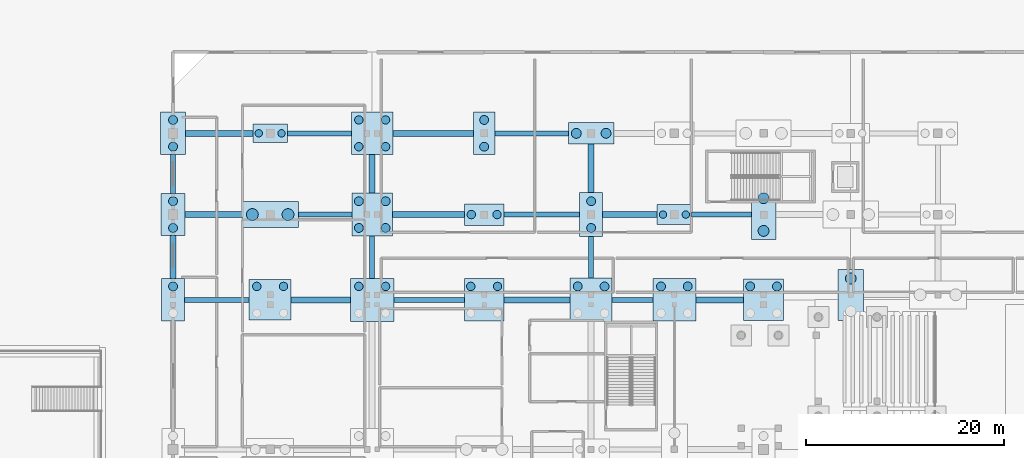
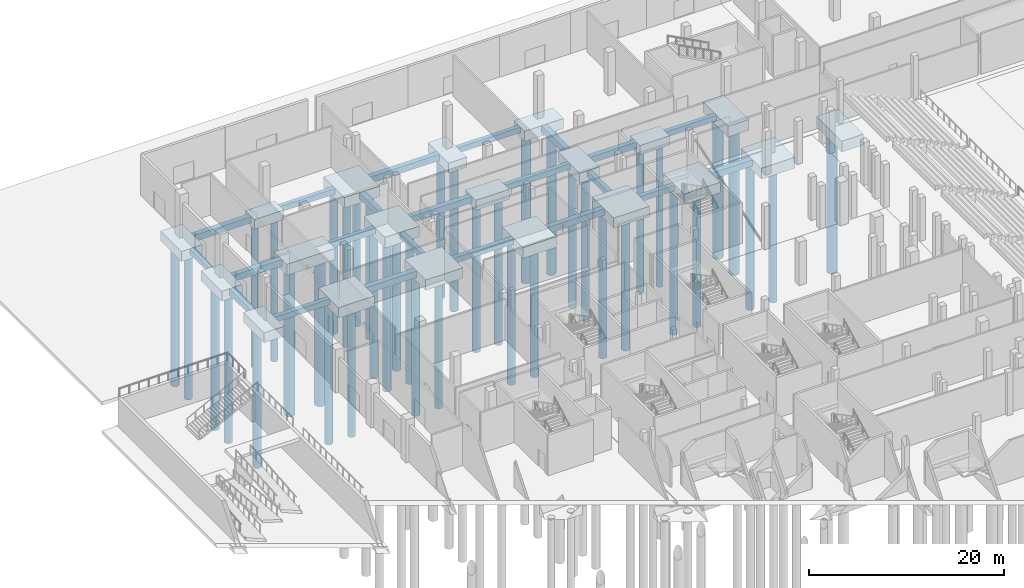
# One storey, part 12 of 89: 42 footings, 42 piles.
"""IFC4 building model written with IfcOpenShell, lengths in metres."""

import ifcopenshell
import ifcopenshell.guid

model = None  # the IFC model being written
_history = None  # IfcOwnerHistory: only IFC2X3 demands one
_inside = {}  # id of a spatial element -> (the spatial element, [elements in it])
_under = {}  # id of a project, library or spatial element -> (it, [spatial elements below it])
_declared = {}  # id of a project -> (the project, [libraries it declares])
_typed = {}  # id of a type object -> (the type object, [elements of that type])
_made_of = {}  # id of a material, layer set ... -> (it, [elements and type objects made of it])


def new_model(schema):
    """Start an empty IFC model of exactly this schema.

    Asked for "IFC4X3", IfcOpenShell would pick the latest addendum, in which some entities
    have other attributes; the version numbers below select the first issue.
    IFC2X3 requires an IfcOwnerHistory on every rooted entity: one is made here for all.
    """
    global model, _history
    if schema == "IFC4X3":
        model = ifcopenshell.file(schema_version=(4, 3, 0, 0))
    else:
        model = ifcopenshell.file(schema=schema)
    _inside.clear()
    _under.clear()
    _declared.clear()
    _typed.clear()
    _made_of.clear()
    _history = None
    if model.schema == "IFC2X3":
        org = make("IfcOrganization", Name="unknown")
        user = make(
            "IfcPersonAndOrganization",
            ThePerson=make("IfcPerson", FamilyName="unknown"),
            TheOrganization=org,
        )
        app = make(
            "IfcApplication",
            ApplicationDeveloper=org,
            Version="unknown",
            ApplicationFullName="unknown",
            ApplicationIdentifier="unknown",
        )
        _history = make(
            "IfcOwnerHistory",
            OwningUser=user,
            OwningApplication=app,
            ChangeAction="ADDED",
            CreationDate=0,
        )
    return model


def make(cls, **values):
    """One entity of the class cls with the attributes given. An attribute that is None is left unset."""
    return model.create_entity(
        cls, **{name: value for name, value in values.items() if value is not None}
    )


def rooted(cls, **values):
    """An entity with a GlobalId (a new one), such as an element, a storey or a relation."""
    return make(cls, GlobalId=ifcopenshell.guid.new(), OwnerHistory=_history, **values)


def si_unit(unit_type, name, prefix=None):
    """IfcSIUnit, for example si_unit("LENGTHUNIT", "METRE", prefix="MILLI")."""
    return make("IfcSIUnit", UnitType=unit_type, Prefix=prefix, Name=name)


def assignment(units):
    """IfcUnitAssignment: the units of a project."""
    return None if units is None else make("IfcUnitAssignment", Units=units)


def point(xyz):
    """IfcCartesianPoint."""
    return None if xyz is None else make("IfcCartesianPoint", Coordinates=xyz)


def direction(xyz):
    """IfcDirection."""
    return None if xyz is None else make("IfcDirection", DirectionRatios=xyz)


def frame(location, z_axis=None, x_axis=None):
    """IfcAxis2Placement3D, a coordinate frame: its origin and axes. An axis left out is left unset."""
    return make(
        "IfcAxis2Placement3D",
        Location=point(location),
        Axis=direction(z_axis),
        RefDirection=direction(x_axis),
    )


def frame_2d(location, x_axis=None):
    """IfcAxis2Placement2D, a coordinate frame in the plane: its origin and x axis."""
    return make(
        "IfcAxis2Placement2D", Location=point(location), RefDirection=direction(x_axis)
    )


def origin():
    """The frame at (0, 0, 0) with its axes left unset."""
    return frame((0.0, 0.0, 0.0))


def origin_2d():
    """The frame at (0, 0) in the plane with its x axis left unset."""
    return frame_2d((0.0, 0.0))


def place(relative_to, where):
    """IfcLocalPlacement: puts the frame where relative to a parent placement (None: the world)."""
    return make(
        "IfcLocalPlacement", PlacementRelTo=relative_to, RelativePlacement=where
    )


def context(
    kind, dimensions, precision=None, world=None, true_north=None, identifier=None
):
    """IfcGeometricRepresentationContext, for example the 3D "Model" context."""
    return make(
        "IfcGeometricRepresentationContext",
        ContextIdentifier=identifier,
        ContextType=kind,
        CoordinateSpaceDimension=dimensions,
        Precision=precision,
        WorldCoordinateSystem=world,
        TrueNorth=true_north,
    )


def subcontext(parent, identifier, kind, view, scale=None):
    """IfcGeometricRepresentationSubContext, for example "Body" below "Model"."""
    return make(
        "IfcGeometricRepresentationSubContext",
        ContextIdentifier=identifier,
        ContextType=kind,
        ParentContext=parent,
        TargetScale=scale,
        TargetView=view,
    )


def project(units=None, contexts=None):
    """IfcProject with its units and contexts."""
    return rooted(
        "IfcProject",
        Name="project",
        RepresentationContexts=contexts,
        UnitsInContext=assignment(units),
    )


def spatial(cls, under=None, at=None, **own):
    """A site, building, storey or space (cls), placed at a placement, below another one or the project."""
    s = rooted(cls, ObjectPlacement=at, **own)
    if under is not None:
        _under.setdefault(under.id(), (under, []))[1].append(s)
    return s


def profile(cls, at=None, kind="AREA", **sizes):
    """A parametric profile (cls). Its sizes go by their IFC names, for example OverallWidth=200.0."""
    return make(cls, ProfileType=kind, Position=at, **sizes)


def rectangle(**sizes):
    """IfcRectangleProfileDef."""
    return profile("IfcRectangleProfileDef", **sizes)


def circle(**sizes):
    """IfcCircleProfileDef."""
    return profile("IfcCircleProfileDef", **sizes)


def extrude(swept, where, along, depth):
    """IfcExtrudedAreaSolid: the profile swept, set in the frame where, extruded along a direction by depth."""
    return make(
        "IfcExtrudedAreaSolid",
        SweptArea=swept,
        Position=where,
        ExtrudedDirection=direction(along),
        Depth=depth,
    )


def shape(context_of_items, identifier, shape_type, items):
    """IfcShapeRepresentation: the items that make up one representation, for example the "Body"."""
    return make(
        "IfcShapeRepresentation",
        ContextOfItems=context_of_items,
        RepresentationIdentifier=identifier,
        RepresentationType=shape_type,
        Items=items,
    )


def material(Name=None, Category=None):
    """IfcMaterial."""
    return make("IfcMaterial", Name=Name, Category=Category)


def material_profile(
    of_material, cross_section, Name=None, Category=None, Priority=None
):
    """IfcMaterialProfile: a cross section and its material."""
    return make(
        "IfcMaterialProfile",
        Name=Name,
        Material=of_material,
        Profile=cross_section,
        Priority=Priority,
        Category=Category,
    )


def profile_set(profiles, Name=None, composite=None):
    """IfcMaterialProfileSet."""
    return make(
        "IfcMaterialProfileSet",
        Name=Name,
        MaterialProfiles=profiles,
        CompositeProfile=composite,
    )


def made_of(thing, what):
    """Note that an element or type object is made of a material, layer set ...; save() writes the relation."""
    if what is not None:
        _made_of.setdefault(what.id(), (what, []))[1].append(thing)
    return thing


def type_object(cls, material=None, **own):
    """A type object (cls), such as IfcWallType, which elements share."""
    return made_of(rooted(cls, **own), material)


def element(
    cls,
    number,
    at=None,
    inside=None,
    cuts=None,
    type_object=None,
    material=None,
    context=None,
    identifier="Body",
    shape_type=None,
    held_by="IfcProductDefinitionShape",
    body=None,
    shapes=None,
    **own,
):
    """One element of the class cls, such as IfcWall. Its Tag is "e" and its number.

    at: its placement. inside: the storey or other place that contains it. cuts: it is an
    opening in that element (IfcRelVoidsElement). A single representation is given by context,
    identifier, shape_type and body (its items); several are given by shapes. held_by: the class
    of the entity that holds the representations. save() writes the other relations.
    """
    e = rooted(cls, Tag="e%d" % number, ObjectPlacement=at, **own)
    if body is not None:
        shapes = [shape(context, identifier, shape_type, body)]
    if shapes is not None:
        e.Representation = make(held_by, Representations=shapes)
    if inside is not None:
        _inside.setdefault(inside.id(), (inside, []))[1].append(e)
    if cuts is not None:
        rooted(
            "IfcRelVoidsElement", RelatingBuildingElement=cuts, RelatedOpeningElement=e
        )
    if type_object is not None:
        _typed.setdefault(type_object.id(), (type_object, []))[1].append(e)
    return made_of(e, material)


def aggregate(whole, parts):
    """IfcRelAggregates: a whole, such as a stair, and the parts it consists of."""
    return rooted("IfcRelAggregates", RelatingObject=whole, RelatedObjects=parts)


def save(model, path):
    """Write the relations noted so far, then the file.

    IfcRelAggregates (storeys below a building ...), IfcRelContainedInSpatialStructure (elements
    in a storey), IfcRelDefinesByType, IfcRelAssociatesMaterial and IfcRelDeclares: one each for
    every whole, place, type object, material and project.
    """
    for whole, parts in _under.values():
        aggregate(whole, parts)
    for where, things in _inside.values():
        rooted(
            "IfcRelContainedInSpatialStructure",
            RelatedElements=things,
            RelatingStructure=where,
        )
    for kind, things in _typed.values():
        rooted("IfcRelDefinesByType", RelatedObjects=things, RelatingType=kind)
    for what, things in _made_of.values():
        rooted("IfcRelAssociatesMaterial", RelatedObjects=things, RelatingMaterial=what)
    for by, libraries in _declared.values():
        rooted("IfcRelDeclares", RelatingContext=by, RelatedDefinitions=libraries)
    model.write(path)


model = new_model("IFC4")

# Units and contexts
model_context = context("Model", 3, precision=1e-05, world=origin(), true_north=direction((0.0, 1.0)))
body_context = subcontext(model_context, "Body", "Model", "MODEL_VIEW")
ifc_project = project(units=[si_unit("LENGTHUNIT", "METRE"), si_unit("AREAUNIT", "SQUARE_METRE"), si_unit("VOLUMEUNIT", "CUBIC_METRE"), si_unit("PLANEANGLEUNIT", "RADIAN"), si_unit("MASSUNIT", "GRAM", prefix="KILO")], contexts=[model_context])

# Site, building, storey
site_placement = place(None, origin())
site = spatial("IfcSite", under=ifc_project, at=site_placement, CompositionType="ELEMENT")
building_placement = place(site_placement, origin())
building = spatial("IfcBuilding", under=site, at=building_placement, Name="Koshinbarg Plaza Stadium", CompositionType="ELEMENT")
storey_placement = place(building_placement, origin())
storey = spatial("IfcBuildingStorey", under=building, at=storey_placement, Name="L00", CompositionType="ELEMENT", Elevation=0.0)

# Footings
ifc_material = material(Name="Concrete C35/45", Category="concrete")
ifc_material_profile_1 = material_profile(ifc_material, rectangle(XDim=0.5, YDim=0.699951171875, at=origin_2d()), Name="GB 500x700")
ifc_profile_set_1 = profile_set([ifc_material_profile_1], Name="Concrete C35/45")
footing_type_1 = type_object("IfcFootingType", Name="FT-GB-01", PredefinedType="FOOTING_BEAM", material=ifc_profile_set_1)
footing_1_placement = place(storey_placement, frame((5.179931640625, 127.0, -0.75), z_axis=(1.0, 0.0, 0.0), x_axis=(0.0, 1.0, 0.0)))
element("IfcFooting", 1, at=footing_1_placement, inside=storey, type_object=footing_type_1, Name="Ground footing beam GB-X-145", PredefinedType="FOOTING_BEAM", context=body_context, shape_type="SweptSolid", body=[
    extrude(rectangle(XDim=0.5, YDim=0.699951171875, at=origin_2d()), origin(), (0.0, 0.0, 1.0), 6.5),
])
footing_2_placement = place(storey_placement, frame((26.31005859375, 127.0, -0.800048828125), z_axis=(1.0, 0.0, 0.0), x_axis=(0.0, 1.0, 0.0)))
element("IfcFooting", 2, at=footing_2_placement, inside=storey, type_object=footing_type_1, Name="Ground footing beam GB-X-147", PredefinedType="FOOTING_BEAM", context=body_context, shape_type="SweptSolid", body=[
    extrude(rectangle(XDim=0.5, YDim=0.699951171875, at=origin_2d()), origin(), (0.0, 0.0, 1.0), 7.08984375),
])
footing_3_placement = place(storey_placement, frame((48.320068359375, 127.0, -0.800048828125), z_axis=(1.0, 0.0, 0.0), x_axis=(0.0, 1.0, 0.0)))
element("IfcFooting", 3, at=footing_3_placement, inside=storey, type_object=footing_type_1, Name="Ground footing beam GB-X-149", PredefinedType="FOOTING_BEAM", context=body_context, shape_type="SweptSolid", body=[
    extrude(rectangle(XDim=0.5, YDim=0.699951171875, at=origin_2d()), origin(), (0.0, 0.0, 1.0), 4.119873046875),
])
footing_4_placement = place(storey_placement, frame((16.659912109375, 135.60009765625, -0.75), z_axis=(1.0, 0.0, 0.0), x_axis=(0.0, 1.0, 0.0)))
element("IfcFooting", 4, at=footing_4_placement, inside=storey, type_object=footing_type_1, Name="Ground footing beam GB-X-159", PredefinedType="FOOTING_BEAM", context=body_context, shape_type="SweptSolid", body=[
    extrude(rectangle(XDim=0.5, YDim=0.699951171875, at=origin_2d()), origin(), (0.0, 0.0, 1.0), 5.39013671875),
])
footing_5_placement = place(storey_placement, frame((37.389892578125, 135.60009765625, -0.75), z_axis=(1.0, 0.0, 0.0), x_axis=(0.0, 1.0, 0.0)))
element("IfcFooting", 5, at=footing_5_placement, inside=storey, type_object=footing_type_1, Name="Ground footing beam GB-X-161", PredefinedType="FOOTING_BEAM", context=body_context, shape_type="SweptSolid", body=[
    extrude(rectangle(XDim=0.5, YDim=0.699951171875, at=origin_2d()), origin(), (0.0, 0.0, 1.0), 7.650146484375),
])
footing_6_placement = place(storey_placement, frame((56.35009765625, 135.60009765625, -0.75), z_axis=(1.0, 0.0, 0.0), x_axis=(0.0, 1.0, 0.0)))
element("IfcFooting", 6, at=footing_6_placement, inside=storey, type_object=footing_type_1, Name="Ground footing beam GB-X-163", PredefinedType="FOOTING_BEAM", context=body_context, shape_type="SweptSolid", body=[
    extrude(rectangle(XDim=0.5, YDim=0.699951171875, at=origin_2d()), origin(), (0.0, 0.0, 1.0), 6.010009765625),
])
footing_7_placement = place(storey_placement, frame((15.550048828125, 143.800048828125, -0.75), z_axis=(1.0, 0.0, 0.0), x_axis=(0.0, 1.0, 0.0)))
element("IfcFooting", 7, at=footing_7_placement, inside=storey, type_object=footing_type_1, Name="Ground footing beam GB-X-175", PredefinedType="FOOTING_BEAM", context=body_context, shape_type="SweptSolid", body=[
    extrude(rectangle(XDim=0.5, YDim=0.699951171875, at=origin_2d()), origin(), (0.0, 0.0, 1.0), 6.4599609375),
])
footing_8_placement = place(storey_placement, frame((36.47998046875, 143.800048828125, -0.75), z_axis=(1.0, 0.0, 0.0), x_axis=(0.0, 1.0, 0.0)))
element("IfcFooting", 8, at=footing_8_placement, inside=storey, type_object=footing_type_1, Name="Ground footing beam GB-X-177", PredefinedType="FOOTING_BEAM", context=body_context, shape_type="SweptSolid", body=[
    extrude(rectangle(XDim=0.5, YDim=0.699951171875, at=origin_2d()), origin(), (0.0, 0.0, 1.0), 7.419921875),
])
footing_9_placement = place(storey_placement, frame((4.0, 137.72998046875, -0.75), z_axis=(0.0, 1.0, 0.0), x_axis=(-1.0, 0.0, 0.0)))
element("IfcFooting", 9, at=footing_9_placement, inside=storey, type_object=footing_type_1, Name="Ground footing beam GB-Y-203", PredefinedType="FOOTING_BEAM", context=body_context, shape_type="SweptSolid", body=[
    extrude(rectangle(XDim=0.5, YDim=0.699951171875, at=origin_2d()), origin(), (0.0, 0.0, 1.0), 3.93994140625),
])
footing_10_placement = place(storey_placement, frame((24.10009765625, 129.169921875, -0.800048828125), z_axis=(0.0, 1.0, 0.0), x_axis=(-1.0, 0.0, 0.0)))
element("IfcFooting", 10, at=footing_10_placement, inside=storey, type_object=footing_type_1, Name="Ground footing beam GB-Y-217", PredefinedType="FOOTING_BEAM", context=body_context, shape_type="SweptSolid", body=[
    extrude(rectangle(XDim=0.5, YDim=0.699951171875, at=origin_2d()), origin(), (0.0, 0.0, 1.0), 4.27001953125),
])
footing_11_placement = place(storey_placement, frame((46.199951171875, 129.2099609375, -0.800048828125), z_axis=(0.0, 1.0, 0.0), x_axis=(-1.0, 0.0, 0.0)))
element("IfcFooting", 11, at=footing_11_placement, inside=storey, type_object=footing_type_1, Name="Ground footing beam GB-Y-229", PredefinedType="FOOTING_BEAM", context=body_context, shape_type="SweptSolid", body=[
    extrude(rectangle(XDim=0.5, YDim=0.699951171875, at=origin_2d()), origin(), (0.0, 0.0, 1.0), 4.179931640625),
])
ifc_material_profile_2 = material_profile(ifc_material, rectangle(XDim=0.60009765625, YDim=0.800048828125, at=origin_2d()), Name="GB 600x800")
ifc_profile_set_2 = profile_set([ifc_material_profile_2], Name="Concrete C35/45")
footing_type_2 = type_object("IfcFootingType", Name="FT-GB-02", PredefinedType="FOOTING_BEAM", material=ifc_profile_set_2)
footing_12_placement = place(storey_placement, frame((15.919921875, 127.0, -0.85009765625), z_axis=(1.0, 0.0, 0.0), x_axis=(0.0, 1.0, 0.0)))
element("IfcFooting", 12, at=footing_12_placement, inside=storey, type_object=footing_type_2, Name="Ground footing beam GB-X-146", PredefinedType="FOOTING_BEAM", context=body_context, shape_type="SweptSolid", body=[
    extrude(rectangle(XDim=0.60009765625, YDim=0.800048828125, at=origin_2d()), origin(), (0.0, 0.0, 1.0), 5.969970703125),
])
footing_13_placement = place(storey_placement, frame((37.39990234375, 127.0, -0.85009765625), z_axis=(1.0, 0.0, 0.0), x_axis=(0.0, 1.0, 0.0)))
element("IfcFooting", 13, at=footing_13_placement, inside=storey, type_object=footing_type_2, Name="Ground footing beam GB-X-148", PredefinedType="FOOTING_BEAM", context=body_context, shape_type="SweptSolid", body=[
    extrude(rectangle(XDim=0.60009765625, YDim=0.800048828125, at=origin_2d()), origin(), (0.0, 0.0, 1.0), 6.68017578125),
])
footing_14_placement = place(storey_placement, frame((56.760009765625, 127.0, -0.85009765625), z_axis=(1.0, 0.0, 0.0), x_axis=(0.0, 1.0, 0.0)))
element("IfcFooting", 14, at=footing_14_placement, inside=storey, type_object=footing_type_2, Name="Ground footing beam GB-X-150", PredefinedType="FOOTING_BEAM", context=body_context, shape_type="SweptSolid", body=[
    extrude(rectangle(XDim=0.60009765625, YDim=0.800048828125, at=origin_2d()), origin(), (0.0, 0.0, 1.0), 4.840087890625),
])
footing_15_placement = place(storey_placement, frame((5.219970703125, 135.60009765625, -0.800048828125), z_axis=(1.0, 0.0, 0.0), x_axis=(0.0, 1.0, 0.0)))
element("IfcFooting", 15, at=footing_15_placement, inside=storey, type_object=footing_type_2, Name="Ground footing beam GB-X-158", PredefinedType="FOOTING_BEAM", context=body_context, shape_type="SweptSolid", body=[
    extrude(rectangle(XDim=0.60009765625, YDim=0.800048828125, at=origin_2d()), origin(), (0.0, 0.0, 1.0), 5.719970703125),
])
footing_16_placement = place(storey_placement, frame((26.14990234375, 135.60009765625, -0.800048828125), z_axis=(1.0, 0.0, 0.0), x_axis=(0.0, 1.0, 0.0)))
element("IfcFooting", 16, at=footing_16_placement, inside=storey, type_object=footing_type_2, Name="Ground footing beam GB-X-160", PredefinedType="FOOTING_BEAM", context=body_context, shape_type="SweptSolid", body=[
    extrude(rectangle(XDim=0.60009765625, YDim=0.800048828125, at=origin_2d()), origin(), (0.0, 0.0, 1.0), 7.260009765625),
])
footing_17_placement = place(storey_placement, frame((47.360107421875, 135.60009765625, -0.800048828125), z_axis=(1.0, 0.0, 0.0), x_axis=(0.0, 1.0, 0.0)))
element("IfcFooting", 17, at=footing_17_placement, inside=storey, type_object=footing_type_2, Name="Ground footing beam GB-X-162", PredefinedType="FOOTING_BEAM", context=body_context, shape_type="SweptSolid", body=[
    extrude(rectangle(XDim=0.60009765625, YDim=0.800048828125, at=origin_2d()), origin(), (0.0, 0.0, 1.0), 5.489990234375),
])
footing_18_placement = place(storey_placement, frame((5.260009765625, 143.800048828125, -0.800048828125), z_axis=(1.0, 0.0, 0.0), x_axis=(0.0, 1.0, 0.0)))
element("IfcFooting", 18, at=footing_18_placement, inside=storey, type_object=footing_type_2, Name="Ground footing beam GB-X-174", PredefinedType="FOOTING_BEAM", context=body_context, shape_type="SweptSolid", body=[
    extrude(rectangle(XDim=0.60009765625, YDim=0.800048828125, at=origin_2d()), origin(), (0.0, 0.0, 1.0), 6.7900390625),
])
footing_19_placement = place(storey_placement, frame((26.18994140625, 143.800048828125, -0.800048828125), z_axis=(1.0, 0.0, 0.0), x_axis=(0.0, 1.0, 0.0)))
element("IfcFooting", 19, at=footing_19_placement, inside=storey, type_object=footing_type_2, Name="Ground footing beam GB-X-176", PredefinedType="FOOTING_BEAM", context=body_context, shape_type="SweptSolid", body=[
    extrude(rectangle(XDim=0.60009765625, YDim=0.800048828125, at=origin_2d()), origin(), (0.0, 0.0, 1.0), 8.130126953125),
])
footing_20_placement = place(storey_placement, frame((4.0, 129.1298828125, -0.800048828125), z_axis=(0.0, 1.0, 0.0), x_axis=(-1.0, 0.0, 0.0)))
element("IfcFooting", 20, at=footing_20_placement, inside=storey, type_object=footing_type_2, Name="Ground footing beam GB-Y-202", PredefinedType="FOOTING_BEAM", context=body_context, shape_type="SweptSolid", body=[
    extrude(rectangle(XDim=0.60009765625, YDim=0.800048828125, at=origin_2d()), origin(), (0.0, 0.0, 1.0), 4.340087890625),
])
footing_21_placement = place(storey_placement, frame((24.10009765625, 137.760009765625, -0.800048828125), z_axis=(0.0, 1.0, 0.0), x_axis=(-1.0, 0.0, 0.0)))
element("IfcFooting", 21, at=footing_21_placement, inside=storey, type_object=footing_type_2, Name="Ground footing beam GB-Y-218", PredefinedType="FOOTING_BEAM", context=body_context, shape_type="SweptSolid", body=[
    extrude(rectangle(XDim=0.60009765625, YDim=0.800048828125, at=origin_2d()), origin(), (0.0, 0.0, 1.0), 3.8798828125),
])
footing_22_placement = place(storey_placement, frame((46.199951171875, 137.81005859375, -0.800048828125), z_axis=(0.0, 1.0, 0.0), x_axis=(-1.0, 0.0, 0.0)))
element("IfcFooting", 22, at=footing_22_placement, inside=storey, type_object=footing_type_2, Name="Ground footing beam GB-Y-230", PredefinedType="FOOTING_BEAM", context=body_context, shape_type="SweptSolid", body=[
    extrude(rectangle(XDim=0.60009765625, YDim=0.800048828125, at=origin_2d()), origin(), (0.0, 0.0, 1.0), 4.889892578125),
])
footing_type_3 = type_object("IfcFootingType", Name="FT-PC-216x426x125", PredefinedType="PILE_CAP", material=ifc_material)
footing_23_placement = place(storey_placement, frame((35.39990234375, 143.800048828125, -1.64990234375), z_axis=(0.0, 0.0, 1.0), x_axis=(1.0, 0.0, 0.0)))
element("IfcFooting", 23, at=footing_23_placement, inside=storey, type_object=footing_type_3, Name="Bored pile cap CAP-063", PredefinedType="PILE_CAP", context=body_context, shape_type="SweptSolid", body=[
    extrude(rectangle(XDim=2.159912109375, YDim=4.260009765625, at=origin_2d()), origin(), (0.0, 0.0, 1.0), 1.25),
])
footing_type_4 = type_object("IfcFootingType", Name="FT-PC-232x442x125", PredefinedType="PILE_CAP", material=ifc_material)
footing_24_placement = place(storey_placement, frame((46.199951171875, 135.60009765625, -1.64990234375), z_axis=(0.0, 0.0, 1.0), x_axis=(1.0, 0.0, 0.0)))
element("IfcFooting", 24, at=footing_24_placement, inside=storey, type_object=footing_type_4, Name="Bored pile cap CAP-075", PredefinedType="PILE_CAP", context=body_context, shape_type="SweptSolid", body=[
    extrude(rectangle(XDim=2.320068359375, YDim=4.419921875, at=origin_2d()), origin(), (0.0, 0.0, 1.0), 1.25),
])
footing_type_5 = type_object("IfcFootingType", Name="FT-PC-236x426x125", PredefinedType="PILE_CAP", material=ifc_material)
footing_25_placement = place(storey_placement, frame((4.0, 127.0, -1.64990234375), z_axis=(0.0, 0.0, 1.0), x_axis=(1.0, 0.0, 0.0)))
element("IfcFooting", 25, at=footing_25_placement, inside=storey, type_object=footing_type_5, Name="Bored pile cap CAP-013", PredefinedType="PILE_CAP", context=body_context, shape_type="SweptSolid", body=[
    extrude(rectangle(XDim=2.360107421875, YDim=4.260009765625, at=origin_2d()), origin(), (0.0, 0.0, 1.0), 1.25),
])
footing_type_6 = type_object("IfcFootingType", Name="FT-PC-244x426x125", PredefinedType="PILE_CAP", material=ifc_material)
footing_26_placement = place(storey_placement, frame((4.0, 135.60009765625, -1.64990234375), z_axis=(0.0, 0.0, 1.0), x_axis=(1.0, 0.0, 0.0)))
element("IfcFooting", 26, at=footing_26_placement, inside=storey, type_object=footing_type_6, Name="Bored pile cap CAP-014", PredefinedType="PILE_CAP", context=body_context, shape_type="SweptSolid", body=[
    extrude(rectangle(XDim=2.43994140625, YDim=4.260009765625, at=origin_2d()), origin(), (0.0, 0.0, 1.0), 1.25),
])
footing_type_7 = type_object("IfcFootingType", Name="FT-PC-248x508x135", PredefinedType="PILE_CAP", material=ifc_material)
footing_27_placement = place(storey_placement, frame((63.60009765625, 135.60009765625, -1.75), z_axis=(0.0, 0.0, 1.0), x_axis=(1.0, 0.0, 0.0)))
element("IfcFooting", 27, at=footing_27_placement, inside=storey, type_object=footing_type_7, Name="Bored pile cap CAP-107", PredefinedType="PILE_CAP", context=body_context, shape_type="SweptSolid", body=[
    extrude(rectangle(XDim=2.47998046875, YDim=5.080078125, at=origin_2d()), origin(), (0.0, 0.0, 1.0), 1.35009765625),
])
footing_type_8 = type_object("IfcFootingType", Name="FT-PC-252x426x125", PredefinedType="PILE_CAP", material=ifc_material)
footing_28_placement = place(storey_placement, frame((4.0, 143.800048828125, -1.64990234375), z_axis=(0.0, 0.0, 1.0), x_axis=(1.0, 0.0, 0.0)))
element("IfcFooting", 28, at=footing_28_placement, inside=storey, type_object=footing_type_8, Name="Bored pile cap CAP-015", PredefinedType="PILE_CAP", context=body_context, shape_type="SweptSolid", body=[
    extrude(rectangle(XDim=2.52001953125, YDim=4.260009765625, at=origin_2d()), origin(), (0.0, 0.0, 1.0), 1.25),
])
footing_type_9 = type_object("IfcFootingType", Name="FT-PC-256x516x135", PredefinedType="PILE_CAP", material=ifc_material)
footing_29_placement = place(storey_placement, frame((72.39990234375, 127.5, -1.75), z_axis=(0.0, 0.0, 1.0), x_axis=(1.0, 0.0, 0.0)))
element("IfcFooting", 29, at=footing_29_placement, inside=storey, type_object=footing_type_9, Name="Bored pile cap CAP-113", PredefinedType="PILE_CAP", context=body_context, shape_type="SweptSolid", body=[
    extrude(rectangle(XDim=2.56005859375, YDim=5.159912109375, at=origin_2d()), origin(), (0.0, 0.0, 1.0), 1.35009765625),
])
footing_type_10 = type_object("IfcFootingType", Name="FT-PC-350x188x120", PredefinedType="PILE_CAP", material=ifc_material)
footing_30_placement = place(storey_placement, frame((13.800048828125, 143.800048828125, -1.60009765625), z_axis=(0.0, 0.0, 1.0), x_axis=(1.0, 0.0, 0.0)))
element("IfcFooting", 30, at=footing_30_placement, inside=storey, type_object=footing_type_10, Name="Bored pile cap CAP-031", PredefinedType="PILE_CAP", context=body_context, shape_type="SweptSolid", body=[
    extrude(rectangle(XDim=3.5, YDim=1.8798828125, at=origin_2d()), origin(), (0.0, 0.0, 1.0), 1.199951171875),
])
footing_type_11 = type_object("IfcFootingType", Name="FT-PC-350x204x120", PredefinedType="PILE_CAP", material=ifc_material)
footing_31_placement = place(storey_placement, frame((54.60009765625, 135.60009765625, -1.60009765625), z_axis=(0.0, 0.0, 1.0), x_axis=(1.0, 0.0, 0.0)))
element("IfcFooting", 31, at=footing_31_placement, inside=storey, type_object=footing_type_11, Name="Bored pile cap CAP-091", PredefinedType="PILE_CAP", context=body_context, shape_type="SweptSolid", body=[
    extrude(rectangle(XDim=3.5, YDim=2.0400390625, at=origin_2d()), origin(), (0.0, 0.0, 1.0), 1.199951171875),
])
footing_type_12 = type_object("IfcFootingType", Name="FT-PC-398x216x125", PredefinedType="PILE_CAP", material=ifc_material)
footing_32_placement = place(storey_placement, frame((35.39990234375, 135.60009765625, -1.64990234375), z_axis=(0.0, 0.0, 1.0), x_axis=(1.0, 0.0, 0.0)))
element("IfcFooting", 32, at=footing_32_placement, inside=storey, type_object=footing_type_12, Name="Bored pile cap CAP-062", PredefinedType="PILE_CAP", context=body_context, shape_type="SweptSolid", body=[
    extrude(rectangle(XDim=3.97998046875, YDim=2.159912109375, at=origin_2d()), origin(), (0.0, 0.0, 1.0), 1.25),
])
footing_type_13 = type_object("IfcFootingType", Name="FT-PC-400x418x135", PredefinedType="PILE_CAP", material=ifc_material)
footing_33_placement = place(storey_placement, frame((63.60009765625, 127.0, -1.800048828125), z_axis=(0.0, 0.0, 1.0), x_axis=(1.0, 0.0, 0.0)))
element("IfcFooting", 33, at=footing_33_placement, inside=storey, type_object=footing_type_13, Name="Bored pile cap CAP-106", PredefinedType="PILE_CAP", context=body_context, shape_type="SweptSolid", body=[
    extrude(rectangle(XDim=4.0, YDim=4.179931640625, at=origin_2d()), origin(), (0.0, 0.0, 1.0), 1.35009765625),
])
footing_type_14 = type_object("IfcFootingType", Name="FT-PC-400x426x135", PredefinedType="PILE_CAP", material=ifc_material)
footing_34_placement = place(storey_placement, frame((35.39990234375, 127.0, -1.800048828125), z_axis=(0.0, 0.0, 1.0), x_axis=(1.0, 0.0, 0.0)))
element("IfcFooting", 34, at=footing_34_placement, inside=storey, type_object=footing_type_14, Name="Bored pile cap CAP-061", PredefinedType="PILE_CAP", context=body_context, shape_type="SweptSolid", body=[
    extrude(rectangle(XDim=4.0, YDim=4.260009765625, at=origin_2d()), origin(), (0.0, 0.0, 1.0), 1.35009765625),
])
footing_type_15 = type_object("IfcFootingType", Name="FT-PC-410x432x135", PredefinedType="PILE_CAP", material=ifc_material)
footing_35_placement = place(storey_placement, frame((24.10009765625, 135.60009765625, -1.75), z_axis=(0.0, 0.0, 1.0), x_axis=(1.0, 0.0, 0.0)))
element("IfcFooting", 35, at=footing_35_placement, inside=storey, type_object=footing_type_15, Name="Bored pile cap CAP-046", PredefinedType="PILE_CAP", context=body_context, shape_type="SweptSolid", body=[
    extrude(rectangle(XDim=4.10009765625, YDim=4.320068359375, at=origin_2d()), origin(), (0.0, 0.0, 1.0), 1.35009765625),
])
footing_type_16 = type_object("IfcFootingType", Name="FT-PC-418x432x130", PredefinedType="PILE_CAP", material=ifc_material)
footing_36_placement = place(storey_placement, frame((24.10009765625, 143.800048828125, -1.7001953125), z_axis=(0.0, 0.0, 1.0), x_axis=(1.0, 0.0, 0.0)))
element("IfcFooting", 36, at=footing_36_placement, inside=storey, type_object=footing_type_16, Name="Bored pile cap CAP-047", PredefinedType="PILE_CAP", context=body_context, shape_type="SweptSolid", body=[
    extrude(rectangle(XDim=4.179931640625, YDim=4.320068359375, at=origin_2d()), origin(), (0.0, 0.0, 1.0), 1.300048828125),
])
footing_type_17 = type_object("IfcFootingType", Name="FT-PC-424x410x130", PredefinedType="PILE_CAP", material=ifc_material)
footing_37_placement = place(storey_placement, frame((13.800048828125, 127.0, -1.7001953125), z_axis=(0.0, 0.0, 1.0), x_axis=(1.0, 0.0, 0.0)))
element("IfcFooting", 37, at=footing_37_placement, inside=storey, type_object=footing_type_17, Name="Bored pile cap CAP-029", PredefinedType="PILE_CAP", context=body_context, shape_type="SweptSolid", body=[
    extrude(rectangle(XDim=4.239990234375, YDim=4.10009765625, at=origin_2d()), origin(), (0.0, 0.0, 1.0), 1.300048828125),
])
footing_type_18 = type_object("IfcFootingType", Name="FT-PC-424x442x130", PredefinedType="PILE_CAP", material=ifc_material)
footing_38_placement = place(storey_placement, frame((46.199951171875, 127.0, -1.75), z_axis=(0.0, 0.0, 1.0), x_axis=(1.0, 0.0, 0.0)))
element("IfcFooting", 38, at=footing_38_placement, inside=storey, type_object=footing_type_18, Name="Bored pile cap CAP-074", PredefinedType="PILE_CAP", context=body_context, shape_type="SweptSolid", body=[
    extrude(rectangle(XDim=4.239990234375, YDim=4.419921875, at=origin_2d()), origin(), (0.0, 0.0, 1.0), 1.300048828125),
])
footing_type_19 = type_object("IfcFootingType", Name="FT-PC-432x426x130", PredefinedType="PILE_CAP", material=ifc_material)
footing_39_placement = place(storey_placement, frame((54.60009765625, 127.0, -1.75), z_axis=(0.0, 0.0, 1.0), x_axis=(1.0, 0.0, 0.0)))
element("IfcFooting", 39, at=footing_39_placement, inside=storey, type_object=footing_type_19, Name="Bored pile cap CAP-090", PredefinedType="PILE_CAP", context=body_context, shape_type="SweptSolid", body=[
    extrude(rectangle(XDim=4.320068359375, YDim=4.260009765625, at=origin_2d()), origin(), (0.0, 0.0, 1.0), 1.300048828125),
])
footing_type_20 = type_object("IfcFootingType", Name="FT-PC-442x434x130", PredefinedType="PILE_CAP", material=ifc_material)
footing_40_placement = place(storey_placement, frame((24.10009765625, 127.0, -1.75), z_axis=(0.0, 0.0, 1.0), x_axis=(1.0, 0.0, 0.0)))
element("IfcFooting", 40, at=footing_40_placement, inside=storey, type_object=footing_type_20, Name="Bored pile cap CAP-045", PredefinedType="PILE_CAP", context=body_context, shape_type="SweptSolid", body=[
    extrude(rectangle(XDim=4.419921875, YDim=4.340087890625, at=origin_2d()), origin(), (0.0, 0.0, 1.0), 1.300048828125),
])
footing_type_21 = type_object("IfcFootingType", Name="FT-PC-460x220x130", PredefinedType="PILE_CAP", material=ifc_material)
footing_41_placement = place(storey_placement, frame((46.199951171875, 143.800048828125, -1.7001953125), z_axis=(0.0, 0.0, 1.0), x_axis=(1.0, 0.0, 0.0)))
element("IfcFooting", 41, at=footing_41_placement, inside=storey, type_object=footing_type_21, Name="Bored pile cap CAP-076", PredefinedType="PILE_CAP", context=body_context, shape_type="SweptSolid", body=[
    extrude(rectangle(XDim=4.60009765625, YDim=2.199951171875, at=origin_2d()), origin(), (0.0, 0.0, 1.0), 1.300048828125),
])
footing_type_22 = type_object("IfcFootingType", Name="FT-PC-572x260x140", PredefinedType="PILE_CAP", material=ifc_material)
footing_42_placement = place(storey_placement, frame((13.800048828125, 135.60009765625, -1.800048828125), z_axis=(0.0, 0.0, 1.0), x_axis=(1.0, 0.0, 0.0)))
element("IfcFooting", 42, at=footing_42_placement, inside=storey, type_object=footing_type_22, Name="Bored pile cap CAP-030", PredefinedType="PILE_CAP", context=body_context, shape_type="SweptSolid", body=[
    extrude(rectangle(XDim=5.719970703125, YDim=2.60009765625, at=origin_2d()), origin(), (0.0, 0.0, 1.0), 1.39990234375),
])

# Piles
ifc_material_profile_3 = material_profile(ifc_material, circle(Radius=0.5, at=origin_2d()), Name="PILE D1000")
ifc_profile_set_3 = profile_set([ifc_material_profile_3], Name="Concrete C35/45")
pile_type_1 = type_object("IfcPileType", Name="PL-D1000", PredefinedType="BORED", material=ifc_profile_set_3)
for number, where, z_axis, x_axis, name in (
    (43, (44.699951171875, 143.800048828125, -1.60009765625), (0.0, 0.0, -1.0), (1.0, 0.0, 0.0), "Bored pile CAP-076-1"),
    (44, (47.699951171875, 143.800048828125, -1.60009765625), (0.0, 0.0, -1.0), (1.0, 0.0, 0.0), "Bored pile CAP-076-2"),
):
    element("IfcPile", number, at=place(storey_placement, frame(where, z_axis=z_axis, x_axis=x_axis)), inside=storey, type_object=pile_type_1, Name=name, PredefinedType="BORED", context=body_context, shape_type="SweptSolid", body=[
        extrude(circle(Radius=0.5, at=origin_2d()), origin(), (0.0, 0.0, 1.0), 18.5),
    ])
ifc_material_profile_4 = material_profile(ifc_material, circle(Radius=0.550048828125, at=origin_2d()), Name="PILE D1100")
ifc_profile_set_4 = profile_set([ifc_material_profile_4], Name="Concrete C35/45")
pile_type_2 = type_object("IfcPileType", Name="PL-D1100", PredefinedType="BORED", material=ifc_profile_set_4)
for number, where, z_axis, x_axis, name in (
    (45, (63.60009765625, 133.949951171875, -1.64990234375), (0.0, 0.0, -1.0), (1.0, 0.0, 0.0), "Bored pile CAP-107-1"),
    (46, (63.60009765625, 137.25, -1.64990234375), (0.0, 0.0, -1.0), (1.0, 0.0, 0.0), "Bored pile CAP-107-2"),
    (47, (72.39990234375, 129.14990234375, -1.64990234375), (0.0, 0.0, -1.0), (1.0, 0.0, 0.0), "Bored pile CAP-113-2"),
):
    element("IfcPile", number, at=place(storey_placement, frame(where, z_axis=z_axis, x_axis=x_axis)), inside=storey, type_object=pile_type_2, Name=name, PredefinedType="BORED", context=body_context, shape_type="SweptSolid", body=[
        extrude(circle(Radius=0.550048828125, at=origin_2d()), origin(), (0.0, 0.0, 1.0), 18.0),
    ])
ifc_material_profile_5 = material_profile(ifc_material, circle(Radius=0.60009765625, at=origin_2d()), Name="PILE D1200")
ifc_profile_set_5 = profile_set([ifc_material_profile_5], Name="Concrete C35/45")
pile_type_3 = type_object("IfcPileType", Name="PL-D1200", PredefinedType="BORED", material=ifc_profile_set_5)
for number, where, z_axis, x_axis, name in (
    (48, (12.0, 135.60009765625, -1.699951171875), (0.0, 0.0, -1.0), (1.0, 0.0, 0.0), "Bored pile CAP-030-1"),
    (49, (15.60009765625, 135.60009765625, -1.699951171875), (0.0, 0.0, -1.0), (1.0, 0.0, 0.0), "Bored pile CAP-030-2"),
):
    element("IfcPile", number, at=place(storey_placement, frame(where, z_axis=z_axis, x_axis=x_axis)), inside=storey, type_object=pile_type_3, Name=name, PredefinedType="BORED", context=body_context, shape_type="SweptSolid", body=[
        extrude(circle(Radius=0.60009765625, at=origin_2d()), origin(), (0.0, 0.0, 1.0), 18.5),
    ])
ifc_material_profile_6 = material_profile(ifc_material, circle(Radius=0.375, at=origin_2d()), Name="PILE D750")
ifc_profile_set_6 = profile_set([ifc_material_profile_6], Name="Concrete C35/45")
pile_type_4 = type_object("IfcPileType", Name="PL-D750", PredefinedType="BORED", material=ifc_profile_set_6)
for number, where, z_axis, x_axis, name in (
    (50, (12.64990234375, 143.800048828125, -1.5), (0.0, 0.0, -1.0), (1.0, 0.0, 0.0), "Bored pile CAP-031-1"),
    (51, (14.949951171875, 143.800048828125, -1.5), (0.0, 0.0, -1.0), (1.0, 0.0, 0.0), "Bored pile CAP-031-2"),
    (52, (53.449951171875, 135.60009765625, -1.5), (0.0, 0.0, -1.0), (1.0, 0.0, 0.0), "Bored pile CAP-091-1"),
    (53, (55.75, 135.60009765625, -1.5), (0.0, 0.0, -1.0), (1.0, 0.0, 0.0), "Bored pile CAP-091-2"),
):
    element("IfcPile", number, at=place(storey_placement, frame(where, z_axis=z_axis, x_axis=x_axis)), inside=storey, type_object=pile_type_4, Name=name, PredefinedType="BORED", context=body_context, shape_type="SweptSolid", body=[
        extrude(circle(Radius=0.375, at=origin_2d()), origin(), (0.0, 0.0, 1.0), 18.0),
    ])
ifc_material_profile_7 = material_profile(ifc_material, circle(Radius=0.425048828125, at=origin_2d()), Name="PILE D850")
ifc_profile_set_7 = profile_set([ifc_material_profile_7], Name="Concrete C35/45")
pile_type_5 = type_object("IfcPileType", Name="PL-D850", PredefinedType="BORED", material=ifc_profile_set_7)
for number, where, z_axis, x_axis, name in (
    (54, (12.449951171875, 128.35009765625, -1.60009765625), (0.0, 0.0, -1.0), (1.0, 0.0, 0.0), "Bored pile CAP-029-3"),
    (55, (15.14990234375, 128.35009765625, -1.60009765625), (0.0, 0.0, -1.0), (1.0, 0.0, 0.0), "Bored pile CAP-029-4"),
    (56, (22.75, 128.35009765625, -1.64990234375), (0.0, 0.0, -1.0), (1.0, 0.0, 0.0), "Bored pile CAP-045-3"),
    (57, (25.449951171875, 128.35009765625, -1.64990234375), (0.0, 0.0, -1.0), (1.0, 0.0, 0.0), "Bored pile CAP-045-4"),
    (58, (22.75, 142.449951171875, -1.60009765625), (0.0, 0.0, -1.0), (1.0, 0.0, 0.0), "Bored pile CAP-047-1"),
    (59, (25.449951171875, 142.449951171875, -1.60009765625), (0.0, 0.0, -1.0), (1.0, 0.0, 0.0), "Bored pile CAP-047-2"),
    (60, (22.75, 145.14990234375, -1.60009765625), (0.0, 0.0, -1.0), (1.0, 0.0, 0.0), "Bored pile CAP-047-3"),
    (61, (25.449951171875, 145.14990234375, -1.60009765625), (0.0, 0.0, -1.0), (1.0, 0.0, 0.0), "Bored pile CAP-047-4"),
    (62, (34.050048828125, 128.35009765625, -1.699951171875), (0.0, 0.0, -1.0), (1.0, 0.0, 0.0), "Bored pile CAP-061-3"),
    (63, (36.75, 128.35009765625, -1.699951171875), (0.0, 0.0, -1.0), (1.0, 0.0, 0.0), "Bored pile CAP-061-4"),
):
    element("IfcPile", number, at=place(storey_placement, frame(where, z_axis=z_axis, x_axis=x_axis)), inside=storey, type_object=pile_type_5, Name=name, PredefinedType="BORED", context=body_context, shape_type="SweptSolid", body=[
        extrude(circle(Radius=0.425048828125, at=origin_2d()), origin(), (0.0, 0.0, 1.0), 18.0),
    ])
for number, where, z_axis, x_axis, name in (
    (64, (34.10009765625, 135.60009765625, -1.550048828125), (0.0, 0.0, -1.0), (1.0, 0.0, 0.0), "Bored pile CAP-062-1"),
    (65, (36.699951171875, 135.60009765625, -1.550048828125), (0.0, 0.0, -1.0), (1.0, 0.0, 0.0), "Bored pile CAP-062-2"),
):
    element("IfcPile", number, at=place(storey_placement, frame(where, z_axis=z_axis, x_axis=x_axis)), inside=storey, type_object=pile_type_5, Name=name, PredefinedType="BORED", context=body_context, shape_type="SweptSolid", body=[
        extrude(circle(Radius=0.425048828125, at=origin_2d()), origin(), (0.0, 0.0, 1.0), 18.5),
    ])
ifc_material_profile_8 = material_profile(ifc_material, circle(Radius=0.449951171875, at=origin_2d()), Name="PILE D900")
ifc_profile_set_8 = profile_set([ifc_material_profile_8], Name="Concrete C35/45")
pile_type_6 = type_object("IfcPileType", Name="PL-D900", PredefinedType="BORED", material=ifc_profile_set_8)
pile_placement = place(storey_placement, frame((4.0, 128.35009765625, -1.550048828125), z_axis=(0.0, 0.0, -1.0), x_axis=(1.0, 0.0, 0.0)))
element("IfcPile", 66, at=pile_placement, inside=storey, type_object=pile_type_6, Name="Bored pile CAP-013-2", PredefinedType="BORED", context=body_context, shape_type="SweptSolid", body=[
    extrude(circle(Radius=0.449951171875, at=origin_2d()), origin(), (0.0, 0.0, 1.0), 18.0),
])
for number, where, z_axis, x_axis, name in (
    (67, (4.0, 134.25, -1.550048828125), (0.0, 0.0, -1.0), (1.0, 0.0, 0.0), "Bored pile CAP-014-1"),
    (68, (4.0, 136.949951171875, -1.550048828125), (0.0, 0.0, -1.0), (1.0, 0.0, 0.0), "Bored pile CAP-014-2"),
):
    element("IfcPile", number, at=place(storey_placement, frame(where, z_axis=z_axis, x_axis=x_axis)), inside=storey, type_object=pile_type_6, Name=name, PredefinedType="BORED", context=body_context, shape_type="SweptSolid", body=[
        extrude(circle(Radius=0.449951171875, at=origin_2d()), origin(), (0.0, 0.0, 1.0), 18.5),
    ])
for number, where, z_axis, x_axis, name in (
    (69, (4.0, 142.449951171875, -1.550048828125), (0.0, 0.0, -1.0), (1.0, 0.0, 0.0), "Bored pile CAP-015-1"),
    (70, (4.0, 145.14990234375, -1.550048828125), (0.0, 0.0, -1.0), (1.0, 0.0, 0.0), "Bored pile CAP-015-2"),
):
    element("IfcPile", number, at=place(storey_placement, frame(where, z_axis=z_axis, x_axis=x_axis)), inside=storey, type_object=pile_type_6, Name=name, PredefinedType="BORED", context=body_context, shape_type="SweptSolid", body=[
        extrude(circle(Radius=0.449951171875, at=origin_2d()), origin(), (0.0, 0.0, 1.0), 18.0),
    ])
for number, where, z_axis, x_axis, name in (
    (71, (22.75, 134.25, -1.64990234375), (0.0, 0.0, -1.0), (1.0, 0.0, 0.0), "Bored pile CAP-046-1"),
    (72, (25.449951171875, 134.25, -1.64990234375), (0.0, 0.0, -1.0), (1.0, 0.0, 0.0), "Bored pile CAP-046-2"),
    (73, (22.75, 136.949951171875, -1.64990234375), (0.0, 0.0, -1.0), (1.0, 0.0, 0.0), "Bored pile CAP-046-3"),
    (74, (25.449951171875, 136.949951171875, -1.64990234375), (0.0, 0.0, -1.0), (1.0, 0.0, 0.0), "Bored pile CAP-046-4"),
):
    element("IfcPile", number, at=place(storey_placement, frame(where, z_axis=z_axis, x_axis=x_axis)), inside=storey, type_object=pile_type_6, Name=name, PredefinedType="BORED", context=body_context, shape_type="SweptSolid", body=[
        extrude(circle(Radius=0.449951171875, at=origin_2d()), origin(), (0.0, 0.0, 1.0), 18.5),
    ])
for number, where, z_axis, x_axis, name in (
    (75, (35.39990234375, 142.449951171875, -1.550048828125), (0.0, 0.0, -1.0), (1.0, 0.0, 0.0), "Bored pile CAP-063-1"),
    (76, (35.39990234375, 145.14990234375, -1.550048828125), (0.0, 0.0, -1.0), (1.0, 0.0, 0.0), "Bored pile CAP-063-2"),
):
    element("IfcPile", number, at=place(storey_placement, frame(where, z_axis=z_axis, x_axis=x_axis)), inside=storey, type_object=pile_type_6, Name=name, PredefinedType="BORED", context=body_context, shape_type="SweptSolid", body=[
        extrude(circle(Radius=0.449951171875, at=origin_2d()), origin(), (0.0, 0.0, 1.0), 18.0),
    ])
for number, where, z_axis, x_axis, name in (
    (77, (44.85009765625, 128.35009765625, -1.64990234375), (0.0, 0.0, -1.0), (1.0, 0.0, 0.0), "Bored pile CAP-074-3"),
    (78, (47.550048828125, 128.35009765625, -1.64990234375), (0.0, 0.0, -1.0), (1.0, 0.0, 0.0), "Bored pile CAP-074-4"),
):
    element("IfcPile", number, at=place(storey_placement, frame(where, z_axis=z_axis, x_axis=x_axis)), inside=storey, type_object=pile_type_6, Name=name, PredefinedType="BORED", context=body_context, shape_type="SweptSolid", body=[
        extrude(circle(Radius=0.449951171875, at=origin_2d()), origin(), (0.0, 0.0, 1.0), 18.5),
    ])
for number, where, z_axis, x_axis, name in (
    (79, (46.199951171875, 134.25, -1.550048828125), (0.0, 0.0, -1.0), (1.0, 0.0, 0.0), "Bored pile CAP-075-1"),
    (80, (46.199951171875, 136.949951171875, -1.550048828125), (0.0, 0.0, -1.0), (1.0, 0.0, 0.0), "Bored pile CAP-075-2"),
):
    element("IfcPile", number, at=place(storey_placement, frame(where, z_axis=z_axis, x_axis=x_axis)), inside=storey, type_object=pile_type_6, Name=name, PredefinedType="BORED", context=body_context, shape_type="SweptSolid", body=[
        extrude(circle(Radius=0.449951171875, at=origin_2d()), origin(), (0.0, 0.0, 1.0), 18.0),
    ])
for number, where, z_axis, x_axis, name in (
    (81, (53.25, 128.35009765625, -1.64990234375), (0.0, 0.0, -1.0), (1.0, 0.0, 0.0), "Bored pile CAP-090-3"),
    (82, (55.949951171875, 128.35009765625, -1.64990234375), (0.0, 0.0, -1.0), (1.0, 0.0, 0.0), "Bored pile CAP-090-4"),
    (83, (62.25, 128.35009765625, -1.699951171875), (0.0, 0.0, -1.0), (1.0, 0.0, 0.0), "Bored pile CAP-106-3"),
    (84, (64.949951171875, 128.35009765625, -1.699951171875), (0.0, 0.0, -1.0), (1.0, 0.0, 0.0), "Bored pile CAP-106-4"),
):
    element("IfcPile", number, at=place(storey_placement, frame(where, z_axis=z_axis, x_axis=x_axis)), inside=storey, type_object=pile_type_6, Name=name, PredefinedType="BORED", context=body_context, shape_type="SweptSolid", body=[
        extrude(circle(Radius=0.449951171875, at=origin_2d()), origin(), (0.0, 0.0, 1.0), 18.5),
    ])

save(model, "model.ifc")
